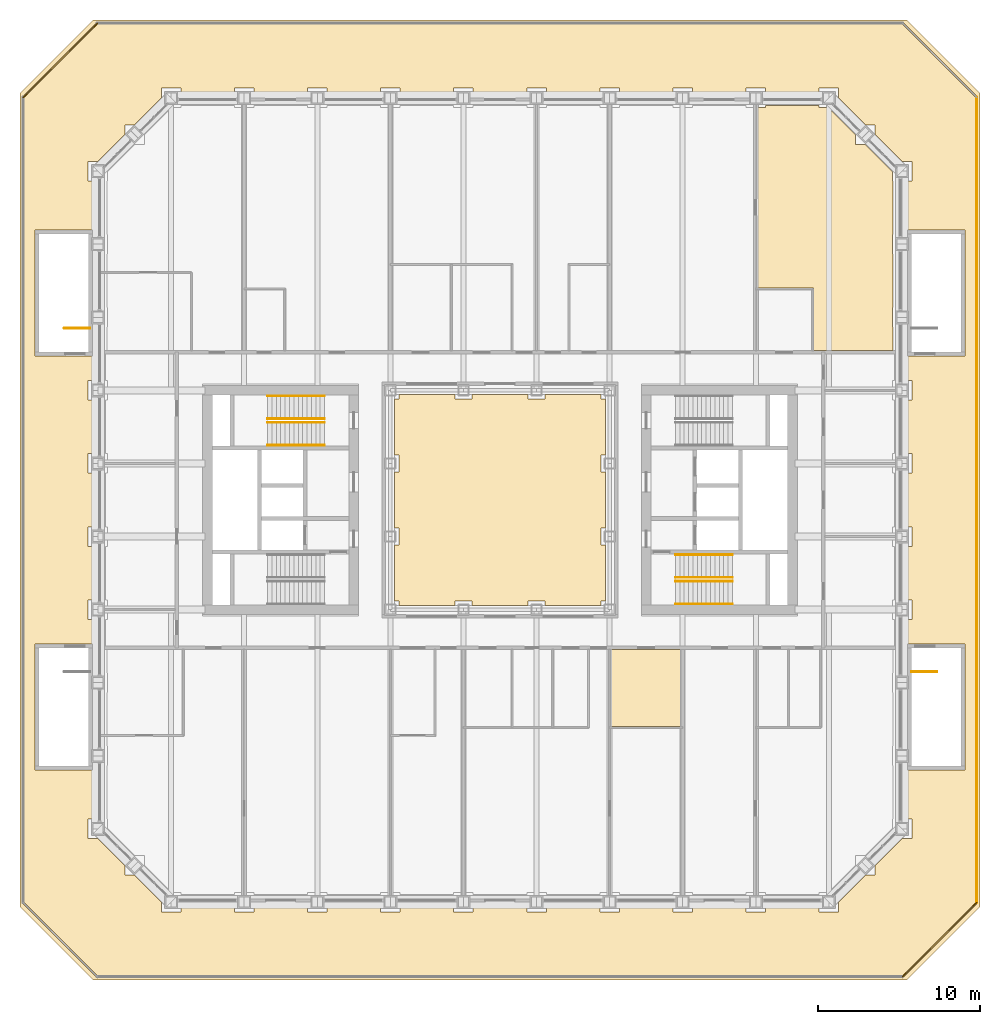
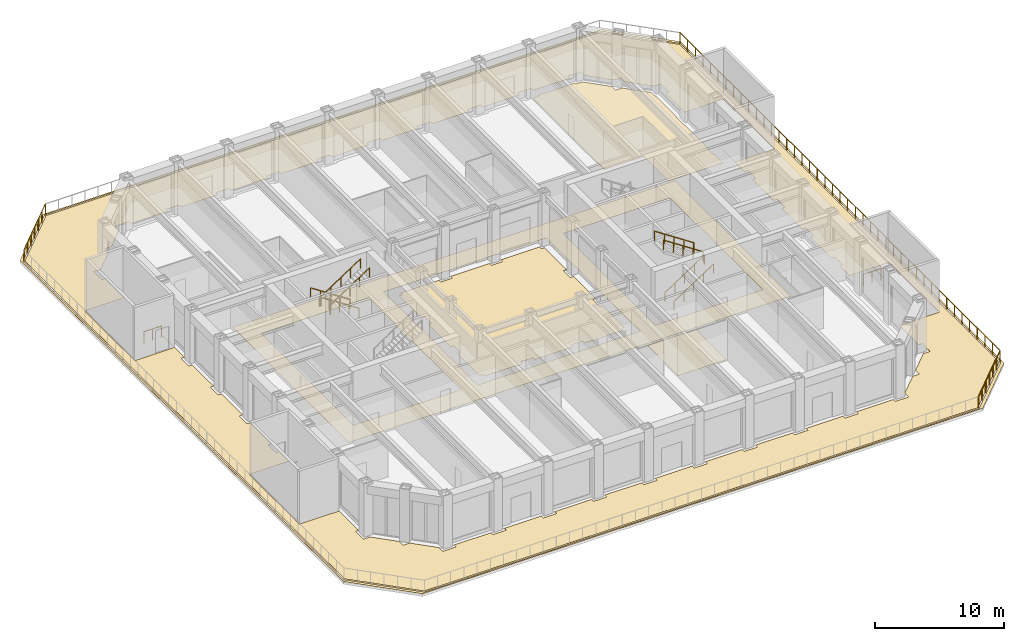
# One storey, part 17 of 18: 13 railings, 3 coverings.
"""IFC4 building model written with IfcOpenShell, lengths in metres."""

from ifc_helpers import new_model, si_unit, direction, frame, origin, origin_2d, place, context, subcontext, project, spatial, line, indexed_curve, circle, outline, extrude, material, layer, layer_set, type_object, element, save


model = new_model("IFC4")

# Units and contexts
model_context = context("Model", 3, precision=1e-05, world=origin(), true_north=direction((0.0, 1.0)))
body_context = subcontext(model_context, "Body", "Model", "MODEL_VIEW")
ifc_project = project(units=[si_unit("LENGTHUNIT", "METRE"), si_unit("AREAUNIT", "SQUARE_METRE"), si_unit("VOLUMEUNIT", "CUBIC_METRE"), si_unit("PLANEANGLEUNIT", "RADIAN"), si_unit("MASSUNIT", "GRAM", prefix="KILO")], contexts=[model_context])

# Site, building, storey
site_placement = place(None, origin())
site = spatial("IfcSite", under=ifc_project, at=site_placement, CompositionType="ELEMENT")
building_placement = place(site_placement, origin())
building = spatial("IfcBuilding", under=site, at=building_placement, Name="Msasa Ring Tower", CompositionType="ELEMENT")
storey_placement = place(building_placement, frame((0.0, 0.0, 21.5)))
storey = spatial("IfcBuildingStorey", under=building, at=storey_placement, Name="L04", CompositionType="ELEMENT", Elevation=21.5)

# Covering
ifc_material_1 = material(Name="Wool-blend carpet on felt underlay", Category="textile")
ifc_layer_1 = layer(ifc_material_1, 0.011962890625)
ifc_layer_set_1 = layer_set([ifc_layer_1], Name="F2 CARPET ON UNDERLAY 12")
covering_type_1 = type_object("IfcCoveringType", Name="F2 CARPET ON UNDERLAY 12", PredefinedType="FLOORING", material=ifc_layer_set_1)
covering_1_placement = place(storey_placement, origin())
element("IfcCovering", 1, at=covering_1_placement, inside=storey, type_object=covering_type_1, Name="Carpet On Underlay 12 L04", PredefinedType="FLOORING", context=body_context, shape_type="SweptSolid", body=[
    extrude(outline(indexed_curve([(19.799560546875, 8.99951171875), (19.799560546875, -8.99951171875), (-19.799560546875, -8.99951171875), (-19.799560546875, 8.99951171875)], segments=[line(1, 2, 3, 4, 1)], self_intersect=False), holes=[indexed_curve([(8.699462890625, 7.150390625), (8.699462890625, -7.150390625), (18.300537109375, -7.150390625), (18.300537109375, 7.150390625)], segments=[line(1, 2, 3, 4, 1)], self_intersect=False), indexed_curve([(-8.699462890625, 7.150390625), (-18.300537109375, 7.150390625), (-18.300537109375, -7.150390625), (-8.699462890625, -7.150390625)], segments=[line(1, 2, 3, 4, 1)], self_intersect=False), indexed_curve([(-7.275390625, -7.275390625), (-6.224609375, -7.275390625), (-6.224609375, -7.25048828125), (-2.775390625, -7.25048828125), (-2.775390625, -7.275390625), (-1.724609375, -7.275390625), (-1.724609375, -7.25048828125), (1.724609375, -7.25048828125), (1.724609375, -7.275390625), (2.775390625, -7.275390625), (2.775390625, -7.25048828125), (6.224609375, -7.25048828125), (6.224609375, -7.275390625), (7.275390625, -7.275390625), (7.275390625, -6.224609375), (7.25048828125, -6.224609375), (7.25048828125, -2.775390625), (7.275390625, -2.775390625), (7.275390625, -1.724609375), (7.25048828125, -1.724609375), (7.25048828125, 1.724609375), (7.275390625, 1.724609375), (7.275390625, 2.775390625), (7.25048828125, 2.775390625), (7.25048828125, 6.224609375), (7.275390625, 6.224609375), (7.275390625, 7.275390625), (6.224609375, 7.275390625), (6.224609375, 7.25048828125), (2.775390625, 7.25048828125), (2.775390625, 7.275390625), (1.724609375, 7.275390625), (1.724609375, 7.25048828125), (-1.724609375, 7.25048828125), (-1.724609375, 7.275390625), (-2.775390625, 7.275390625), (-2.775390625, 7.25048828125), (-6.224609375, 7.25048828125), (-6.224609375, 7.275390625), (-7.275390625, 7.275390625), (-7.275390625, 6.224609375), (-7.25048828125, 6.224609375), (-7.25048828125, 2.775390625), (-7.275390625, 2.775390625), (-7.275390625, 1.724609375), (-7.25048828125, 1.724609375), (-7.25048828125, -1.724609375), (-7.275390625, -1.724609375), (-7.275390625, -2.775390625), (-7.25048828125, -2.775390625), (-7.25048828125, -6.224609375), (-7.275390625, -6.224609375)], segments=[line(1, 2, 3, 4, 5, 6, 7, 8, 9, 10, 11, 12, 13, 14, 15, 16, 17, 18, 19, 20, 21, 22, 23, 24, 25, 26, 27, 28, 29, 30, 31, 32, 33, 34, 35, 36, 37, 38, 39, 40, 41, 42, 43, 44, 45, 46, 47, 48, 49, 50, 51, 52, 1)], self_intersect=False)]), origin(), (0.0, 0.0, 1.0), 0.011962890625),
    extrude(outline(indexed_curve([(11.1494140625, -13.949462890625), (6.800537109375, -13.949462890625), (6.800537109375, -9.200439453125), (11.1494140625, -9.200439453125)], segments=[line(1, 2, 3, 4, 1)], self_intersect=False)), origin(), (0.0, 0.0, 1.0), 0.011962890625),
    extrude(outline(indexed_curve([(15.800537109375, 24.1494140625), (16.3505859375, 24.1494140625), (16.3505859375, 24.299560546875), (19.6494140625, 24.299560546875), (19.6494140625, 24.1494140625), (20.21337890625, 24.1494140625), (21.8994140625, 22.46337890625), (21.8994140625, 21.8994140625), (22.46337890625, 21.8994140625), (24.1494140625, 20.21337890625), (24.1494140625, 19.6494140625), (24.199462890625, 19.6494140625), (24.199462890625, 16.3505859375), (24.1494140625, 16.3505859375), (24.1494140625, 15.1494140625), (24.199462890625, 15.1494140625), (24.199462890625, 11.8505859375), (24.1494140625, 11.8505859375), (24.1494140625, 10.6494140625), (24.199462890625, 10.6494140625), (24.199462890625, 9.200439453125), (19.300537109375, 9.200439453125), (19.300537109375, 13.050537109375), (15.800537109375, 13.050537109375)], segments=[line(1, 2, 3, 4, 5, 6, 7, 8, 9, 10, 11, 12, 13, 14, 15, 16, 17, 18, 19, 20, 21, 22, 23, 24, 1)], self_intersect=False)), origin(), (0.0, 0.0, 1.0), 0.011962890625),
])

# Railings
ifc_material_2 = material(Name="Stainless steel", Category="steel")
railing_type_1 = type_object("IfcRailingType", Name="GR1 GUARD 1100", PredefinedType="GUARDRAIL", material=ifc_material_2)
for number, where, name in (
    (2, (25.324951171875, -10.574951171875, 0.0), "Guard at the head of podium stair PES"),
    (3, (-26.824951171875, 10.574951171875, 0.0), "Guard at the head of podium stair PWN"),
):
    element("IfcRailing", number, at=place(storey_placement, frame(where)), inside=storey, type_object=railing_type_1, Name=name, PredefinedType="GUARDRAIL", context=body_context, shape_type="SweptSolid", body=[
        extrude(circle(Radius=0.02392578125, at=origin_2d()), frame((0.0, 0.0, 1.076171875), z_axis=(1.0, 0.0, 0.0), x_axis=(0.0, 1.0, 0.0)), (0.0, 0.0, 1.0), 1.574951171875),
        extrude(circle(Radius=0.02099609375, at=origin_2d()), origin(), (0.0, 0.0, 1.0), 1.052001953125),
        extrude(circle(Radius=0.02099609375, at=origin_2d()), frame((0.78759765625, 0.0, 0.0)), (0.0, 0.0, 1.0), 1.052001953125),
        extrude(circle(Radius=0.02099609375, at=origin_2d()), frame((1.574951171875, 0.0, 0.0)), (0.0, 0.0, 1.0), 1.052001953125),
    ])
ifc_material_3 = material(Name="Stainless steel and laminated glass", Category="steel")
railing_type_2 = type_object("IfcRailingType", Name="GR2 TERRACE GUARD 1100", PredefinedType="GUARDRAIL", material=ifc_material_3)
railing_1_placement = place(storey_placement, frame((24.79150390625, -29.35009765625, 0.0)))
element("IfcRailing", 4, at=railing_1_placement, inside=storey, type_object=railing_type_2, Name="Podium roof terrace guard SE L04", PredefinedType="GUARDRAIL", context=body_context, shape_type="SweptSolid", body=[
    extrude(circle(Radius=0.02392578125, at=origin_2d()), frame((0.0, 0.0, 1.076171875), z_axis=(0.707106781187, 0.707106781187, 0.0), x_axis=(-0.707106781187, 0.707106781187, 0.0)), (0.0, 0.0, 1.0), 6.44677734375),
    extrude(circle(Radius=0.02099609375, at=origin_2d()), origin(), (0.0, 0.0, 1.0), 1.052001953125),
    extrude(circle(Radius=0.02099609375, at=origin_2d()), frame((0.759765625, 0.759765625, 0.0)), (0.0, 0.0, 1.0), 1.052001953125),
    extrude(circle(Radius=0.02099609375, at=origin_2d()), frame((1.51953125, 1.51953125, 0.0)), (0.0, 0.0, 1.0), 1.052001953125),
    extrude(circle(Radius=0.02099609375, at=origin_2d()), frame((2.279296875, 2.279296875, 0.0)), (0.0, 0.0, 1.0), 1.052001953125),
    extrude(circle(Radius=0.02099609375, at=origin_2d()), frame((3.0390625, 3.0390625, 0.0)), (0.0, 0.0, 1.0), 1.052001953125),
    extrude(circle(Radius=0.02099609375, at=origin_2d()), frame((3.798828125, 3.798828125, 0.0)), (0.0, 0.0, 1.0), 1.052001953125),
    extrude(circle(Radius=0.02099609375, at=origin_2d()), frame((4.55859375, 4.55859375, 0.0)), (0.0, 0.0, 1.0), 1.052001953125),
])
railing_2_placement = place(storey_placement, frame((29.35009765625, -24.79150390625, 0.0)))
element("IfcRailing", 5, at=railing_2_placement, inside=storey, type_object=railing_type_2, Name="Podium roof terrace guard E L04", PredefinedType="GUARDRAIL", context=body_context, shape_type="SweptSolid", body=[
    extrude(circle(Radius=0.02392578125, at=origin_2d()), frame((0.0, 0.0, 1.076171875), z_axis=(0.0, 1.0, 0.0), x_axis=(-1.0, 0.0, 0.0)), (0.0, 0.0, 1.0), 49.5830078125),
    extrude(circle(Radius=0.02099609375, at=origin_2d()), origin(), (0.0, 0.0, 1.0), 1.052001953125),
    extrude(circle(Radius=0.02099609375, at=origin_2d()), frame((0.0, 1.1806640625, 0.0)), (0.0, 0.0, 1.0), 1.052001953125),
    extrude(circle(Radius=0.02099609375, at=origin_2d()), frame((0.0, 2.361083984375, 0.0)), (0.0, 0.0, 1.0), 1.052001953125),
    extrude(circle(Radius=0.02099609375, at=origin_2d()), frame((0.0, 3.541748046875, 0.0)), (0.0, 0.0, 1.0), 1.052001953125),
    extrude(circle(Radius=0.02099609375, at=origin_2d()), frame((0.0, 4.72216796875, 0.0)), (0.0, 0.0, 1.0), 1.052001953125),
    extrude(circle(Radius=0.02099609375, at=origin_2d()), frame((0.0, 5.90283203125, 0.0)), (0.0, 0.0, 1.0), 1.052001953125),
    extrude(circle(Radius=0.02099609375, at=origin_2d()), frame((0.0, 7.083251953125, 0.0)), (0.0, 0.0, 1.0), 1.052001953125),
    extrude(circle(Radius=0.02099609375, at=origin_2d()), frame((0.0, 8.263916015625, 0.0)), (0.0, 0.0, 1.0), 1.052001953125),
    extrude(circle(Radius=0.02099609375, at=origin_2d()), frame((0.0, 9.4443359375, 0.0)), (0.0, 0.0, 1.0), 1.052001953125),
    extrude(circle(Radius=0.02099609375, at=origin_2d()), frame((0.0, 10.625, 0.0)), (0.0, 0.0, 1.0), 1.052001953125),
    extrude(circle(Radius=0.02099609375, at=origin_2d()), frame((0.0, 11.805419921875, 0.0)), (0.0, 0.0, 1.0), 1.052001953125),
    extrude(circle(Radius=0.02099609375, at=origin_2d()), frame((0.0, 12.986083984375, 0.0)), (0.0, 0.0, 1.0), 1.052001953125),
    extrude(circle(Radius=0.02099609375, at=origin_2d()), frame((0.0, 14.16650390625, 0.0)), (0.0, 0.0, 1.0), 1.052001953125),
    extrude(circle(Radius=0.02099609375, at=origin_2d()), frame((0.0, 15.34716796875, 0.0)), (0.0, 0.0, 1.0), 1.052001953125),
    extrude(circle(Radius=0.02099609375, at=origin_2d()), frame((0.0, 16.527587890625, 0.0)), (0.0, 0.0, 1.0), 1.052001953125),
    extrude(circle(Radius=0.02099609375, at=origin_2d()), frame((0.0, 17.708251953125, 0.0)), (0.0, 0.0, 1.0), 1.052001953125),
    extrude(circle(Radius=0.02099609375, at=origin_2d()), frame((0.0, 18.888671875, 0.0)), (0.0, 0.0, 1.0), 1.052001953125),
    extrude(circle(Radius=0.02099609375, at=origin_2d()), frame((0.0, 20.0693359375, 0.0)), (0.0, 0.0, 1.0), 1.052001953125),
    extrude(circle(Radius=0.02099609375, at=origin_2d()), frame((0.0, 21.249755859375, 0.0)), (0.0, 0.0, 1.0), 1.052001953125),
    extrude(circle(Radius=0.02099609375, at=origin_2d()), frame((0.0, 22.430419921875, 0.0)), (0.0, 0.0, 1.0), 1.052001953125),
    extrude(circle(Radius=0.02099609375, at=origin_2d()), frame((0.0, 23.61083984375, 0.0)), (0.0, 0.0, 1.0), 1.052001953125),
    extrude(circle(Radius=0.02099609375, at=origin_2d()), frame((0.0, 24.79150390625, 0.0)), (0.0, 0.0, 1.0), 1.052001953125),
    extrude(circle(Radius=0.02099609375, at=origin_2d()), frame((0.0, 25.97216796875, 0.0)), (0.0, 0.0, 1.0), 1.052001953125),
    extrude(circle(Radius=0.02099609375, at=origin_2d()), frame((0.0, 27.152587890625, 0.0)), (0.0, 0.0, 1.0), 1.052001953125),
    extrude(circle(Radius=0.02099609375, at=origin_2d()), frame((0.0, 28.333251953125, 0.0)), (0.0, 0.0, 1.0), 1.052001953125),
    extrude(circle(Radius=0.02099609375, at=origin_2d()), frame((0.0, 29.513671875, 0.0)), (0.0, 0.0, 1.0), 1.052001953125),
    extrude(circle(Radius=0.02099609375, at=origin_2d()), frame((0.0, 30.6943359375, 0.0)), (0.0, 0.0, 1.0), 1.052001953125),
    extrude(circle(Radius=0.02099609375, at=origin_2d()), frame((0.0, 31.874755859375, 0.0)), (0.0, 0.0, 1.0), 1.052001953125),
    extrude(circle(Radius=0.02099609375, at=origin_2d()), frame((0.0, 33.055419921875, 0.0)), (0.0, 0.0, 1.0), 1.052001953125),
    extrude(circle(Radius=0.02099609375, at=origin_2d()), frame((0.0, 34.23583984375, 0.0)), (0.0, 0.0, 1.0), 1.052001953125),
    extrude(circle(Radius=0.02099609375, at=origin_2d()), frame((0.0, 35.41650390625, 0.0)), (0.0, 0.0, 1.0), 1.052001953125),
    extrude(circle(Radius=0.02099609375, at=origin_2d()), frame((0.0, 36.596923828125, 0.0)), (0.0, 0.0, 1.0), 1.052001953125),
    extrude(circle(Radius=0.02099609375, at=origin_2d()), frame((0.0, 37.777587890625, 0.0)), (0.0, 0.0, 1.0), 1.052001953125),
    extrude(circle(Radius=0.02099609375, at=origin_2d()), frame((0.0, 38.9580078125, 0.0)), (0.0, 0.0, 1.0), 1.052001953125),
    extrude(circle(Radius=0.02099609375, at=origin_2d()), frame((0.0, 40.138671875, 0.0)), (0.0, 0.0, 1.0), 1.052001953125),
    extrude(circle(Radius=0.02099609375, at=origin_2d()), frame((0.0, 41.319091796875, 0.0)), (0.0, 0.0, 1.0), 1.052001953125),
    extrude(circle(Radius=0.02099609375, at=origin_2d()), frame((0.0, 42.499755859375, 0.0)), (0.0, 0.0, 1.0), 1.052001953125),
    extrude(circle(Radius=0.02099609375, at=origin_2d()), frame((0.0, 43.68017578125, 0.0)), (0.0, 0.0, 1.0), 1.052001953125),
    extrude(circle(Radius=0.02099609375, at=origin_2d()), frame((0.0, 44.86083984375, 0.0)), (0.0, 0.0, 1.0), 1.052001953125),
    extrude(circle(Radius=0.02099609375, at=origin_2d()), frame((0.0, 46.041259765625, 0.0)), (0.0, 0.0, 1.0), 1.052001953125),
    extrude(circle(Radius=0.02099609375, at=origin_2d()), frame((0.0, 47.221923828125, 0.0)), (0.0, 0.0, 1.0), 1.052001953125),
    extrude(circle(Radius=0.02099609375, at=origin_2d()), frame((0.0, 48.40234375, 0.0)), (0.0, 0.0, 1.0), 1.052001953125),
    extrude(circle(Radius=0.02099609375, at=origin_2d()), frame((0.0, 49.5830078125, 0.0)), (0.0, 0.0, 1.0), 1.052001953125),
])
railing_3_placement = place(storey_placement, frame((-24.79150390625, 29.35009765625, 0.0)))
element("IfcRailing", 6, at=railing_3_placement, inside=storey, type_object=railing_type_2, Name="Podium roof terrace guard NW L04", PredefinedType="GUARDRAIL", context=body_context, shape_type="SweptSolid", body=[
    extrude(circle(Radius=0.02392578125, at=origin_2d()), frame((0.0, 0.0, 1.076171875), z_axis=(-0.707106781187, -0.707106781187, 0.0), x_axis=(0.707106781187, -0.707106781187, 0.0)), (0.0, 0.0, 1.0), 6.44677734375),
    extrude(circle(Radius=0.02099609375, at=origin_2d()), origin(), (0.0, 0.0, 1.0), 1.052001953125),
    extrude(circle(Radius=0.02099609375, at=origin_2d()), frame((-0.759765625, -0.759765625, 0.0)), (0.0, 0.0, 1.0), 1.052001953125),
    extrude(circle(Radius=0.02099609375, at=origin_2d()), frame((-1.51953125, -1.51953125, 0.0)), (0.0, 0.0, 1.0), 1.052001953125),
    extrude(circle(Radius=0.02099609375, at=origin_2d()), frame((-2.279296875, -2.279296875, 0.0)), (0.0, 0.0, 1.0), 1.052001953125),
    extrude(circle(Radius=0.02099609375, at=origin_2d()), frame((-3.0390625, -3.0390625, 0.0)), (0.0, 0.0, 1.0), 1.052001953125),
    extrude(circle(Radius=0.02099609375, at=origin_2d()), frame((-3.798828125, -3.798828125, 0.0)), (0.0, 0.0, 1.0), 1.052001953125),
    extrude(circle(Radius=0.02099609375, at=origin_2d()), frame((-4.55859375, -4.55859375, 0.0)), (0.0, 0.0, 1.0), 1.052001953125),
])
ifc_material_4 = material(Name="Stainless steel", Category="steel")
railing_type_3 = type_object("IfcRailingType", Name="HR1 HANDRAIL 900", PredefinedType="HANDRAIL", material=ifc_material_4)
for number, where, name in (
    (7, (10.800048828125, -6.39990234375, 0.178466796875), "Handrail stair SEA L04 1"),
    (8, (10.800048828125, -5.0, 0.178466796875), "Handrail stair SEA L04 2"),
):
    element("IfcRailing", number, at=place(storey_placement, frame(where)), inside=storey, type_object=railing_type_3, Name=name, PredefinedType="HANDRAIL", context=body_context, shape_type="SweptSolid", body=[
        extrude(circle(Radius=0.02392578125, at=origin_2d()), frame((0.0, 0.0, 0.8759765625), z_axis=(0.834070780157, 0.0, 0.551657442339), x_axis=(0.0, 1.0, 0.0)), (0.0, 0.0, 1.0), 4.208251953125),
        extrude(circle(Radius=0.02099609375, at=origin_2d()), origin(), (0.0, 0.0, 1.0), 0.851806640625),
        extrude(circle(Radius=0.02099609375, at=origin_2d()), frame((0.87744140625, 0.0, 0.580322265625)), (0.0, 0.0, 1.0), 0.851806640625),
        extrude(circle(Radius=0.02099609375, at=origin_2d()), frame((1.7548828125, 0.0, 1.16064453125)), (0.0, 0.0, 1.0), 0.851806640625),
        extrude(circle(Radius=0.02099609375, at=origin_2d()), frame((2.632568359375, 0.0, 1.7412109375)), (0.0, 0.0, 1.0), 0.851806640625),
        extrude(circle(Radius=0.02099609375, at=origin_2d()), frame((3.510009765625, 0.0, 2.321533203125)), (0.0, 0.0, 1.0), 0.851806640625),
    ])
for number, where, name in (
    (9, (14.31005859375, -4.77490234375, 2.678466796875), "Handrail stair SEA L04 3"),
    (10, (14.31005859375, -3.375, 2.678466796875), "Handrail stair SEA L04 4"),
    (11, (-10.800048828125, 5.0, 0.178466796875), "Handrail stair SWB L04 1"),
    (12, (-10.800048828125, 6.39990234375, 0.178466796875), "Handrail stair SWB L04 2"),
):
    element("IfcRailing", number, at=place(storey_placement, frame(where)), inside=storey, type_object=railing_type_3, Name=name, PredefinedType="HANDRAIL", context=body_context, shape_type="SweptSolid", body=[
        extrude(circle(Radius=0.02392578125, at=origin_2d()), frame((0.0, 0.0, 0.8759765625), z_axis=(-0.834070780157, 0.0, 0.551657442339), x_axis=(0.0, -1.0, 0.0)), (0.0, 0.0, 1.0), 4.208251953125),
        extrude(circle(Radius=0.02099609375, at=origin_2d()), origin(), (0.0, 0.0, 1.0), 0.851806640625),
        extrude(circle(Radius=0.02099609375, at=origin_2d()), frame((-0.87744140625, 0.0, 0.580322265625)), (0.0, 0.0, 1.0), 0.851806640625),
        extrude(circle(Radius=0.02099609375, at=origin_2d()), frame((-1.7548828125, 0.0, 1.16064453125)), (0.0, 0.0, 1.0), 0.851806640625),
        extrude(circle(Radius=0.02099609375, at=origin_2d()), frame((-2.632568359375, 0.0, 1.7412109375)), (0.0, 0.0, 1.0), 0.851806640625),
        extrude(circle(Radius=0.02099609375, at=origin_2d()), frame((-3.510009765625, 0.0, 2.321533203125)), (0.0, 0.0, 1.0), 0.851806640625),
    ])
for number, where, name in (
    (13, (-14.31005859375, 3.375, 2.678466796875), "Handrail stair SWB L04 3"),
    (14, (-14.31005859375, 4.77490234375, 2.678466796875), "Handrail stair SWB L04 4"),
):
    element("IfcRailing", number, at=place(storey_placement, frame(where)), inside=storey, type_object=railing_type_3, Name=name, PredefinedType="HANDRAIL", context=body_context, shape_type="SweptSolid", body=[
        extrude(circle(Radius=0.02392578125, at=origin_2d()), frame((0.0, 0.0, 0.8759765625), z_axis=(0.834070780157, 0.0, 0.551657442339), x_axis=(0.0, 1.0, 0.0)), (0.0, 0.0, 1.0), 4.208251953125),
        extrude(circle(Radius=0.02099609375, at=origin_2d()), origin(), (0.0, 0.0, 1.0), 0.851806640625),
        extrude(circle(Radius=0.02099609375, at=origin_2d()), frame((0.87744140625, 0.0, 0.580322265625)), (0.0, 0.0, 1.0), 0.851806640625),
        extrude(circle(Radius=0.02099609375, at=origin_2d()), frame((1.7548828125, 0.0, 1.16064453125)), (0.0, 0.0, 1.0), 0.851806640625),
        extrude(circle(Radius=0.02099609375, at=origin_2d()), frame((2.632568359375, 0.0, 1.7412109375)), (0.0, 0.0, 1.0), 0.851806640625),
        extrude(circle(Radius=0.02099609375, at=origin_2d()), frame((3.510009765625, 0.0, 2.321533203125)), (0.0, 0.0, 1.0), 0.851806640625),
    ])

# Coverings
ifc_material_5 = material(Name="Liquid-applied polyurethane roof membrane", Category="polyurethane")
ifc_layer_2 = layer(ifc_material_5, 0.0048828125)
ifc_layer_set_2 = layer_set([ifc_layer_2], Name="RF2 LIQUID-APPLIED MEMBRANE ROOF COVERING 5")
covering_type_2 = type_object("IfcCoveringType", Name="RF2 LIQUID-APPLIED MEMBRANE ROOF COVERING 5", PredefinedType="ROOFING", material=ifc_layer_set_2)
covering_2_placement = place(storey_placement, origin())
element("IfcCovering", 15, at=covering_2_placement, inside=storey, type_object=covering_type_2, Name="Roof covering on podium roof terrace l04", PredefinedType="ROOFING", context=body_context, shape_type="SweptSolid", body=[
    extrude(outline(indexed_curve([(-29.549560546875, -25.0498046875), (-29.549560546875, 25.0498046875), (-25.0498046875, 29.549560546875), (25.0498046875, 29.549560546875), (29.549560546875, 25.0498046875), (29.549560546875, -25.0498046875), (25.0498046875, -29.549560546875), (-25.0498046875, -29.549560546875)], segments=[line(1, 2, 3, 4, 5, 6, 7, 8, 1)], self_intersect=False), holes=[indexed_curve([(-29.409912109375, -24.7666015625), (-29.434814453125, -24.79150390625), (-29.409912109375, -24.81640625), (-29.409912109375, -24.851318359375), (-29.375, -24.851318359375), (-24.851318359375, -29.375), (-24.851318359375, -29.409912109375), (-24.81640625, -29.409912109375), (-24.79150390625, -29.434814453125), (-24.7666015625, -29.409912109375), (24.7666015625, -29.409912109375), (24.79150390625, -29.434814453125), (24.81640625, -29.409912109375), (24.851318359375, -29.409912109375), (24.851318359375, -29.375), (29.375, -24.851318359375), (29.409912109375, -24.851318359375), (29.409912109375, -24.81640625), (29.434814453125, -24.79150390625), (29.409912109375, -24.7666015625), (29.409912109375, 24.7666015625), (29.434814453125, 24.79150390625), (29.409912109375, 24.81640625), (29.409912109375, 24.851318359375), (29.375, 24.851318359375), (24.851318359375, 29.375), (24.851318359375, 29.409912109375), (24.81640625, 29.409912109375), (24.79150390625, 29.434814453125), (24.7666015625, 29.409912109375), (-24.7666015625, 29.409912109375), (-24.79150390625, 29.434814453125), (-24.81640625, 29.409912109375), (-24.851318359375, 29.409912109375), (-24.851318359375, 29.375), (-29.375, 24.851318359375), (-29.409912109375, 24.851318359375), (-29.409912109375, 24.81640625), (-29.434814453125, 24.79150390625), (-29.409912109375, 24.7666015625)], segments=[line(1, 2, 3, 4, 5, 6, 7, 8, 9, 10, 11, 12, 13, 14, 15, 16, 17, 18, 19, 20, 21, 22, 23, 24, 25, 26, 27, 28, 29, 30, 31, 32, 33, 34, 35, 36, 37, 38, 39, 40, 1)], self_intersect=False)]), origin(), (0.0, 0.0, 1.0), 0.0048828125),
    extrude(outline(indexed_curve([(-24.7666015625, 29.2900390625), (24.7666015625, 29.2900390625), (29.2900390625, 24.7666015625), (29.2900390625, -24.7666015625), (24.7666015625, -29.2900390625), (-24.7666015625, -29.2900390625), (-29.2900390625, -24.7666015625), (-29.2900390625, 24.7666015625)], segments=[line(1, 2, 3, 4, 5, 6, 7, 8, 1)], self_intersect=False), holes=[indexed_curve([(-16.3505859375, -25.050537109375), (-16.3505859375, -25.3505859375), (-15.1494140625, -25.3505859375), (-15.1494140625, -25.050537109375), (-11.8505859375, -25.050537109375), (-11.8505859375, -25.3505859375), (-10.6494140625, -25.3505859375), (-10.6494140625, -25.050537109375), (-7.3505859375, -25.050537109375), (-7.3505859375, -25.3505859375), (-6.1494140625, -25.3505859375), (-6.1494140625, -25.050537109375), (-2.8505859375, -25.050537109375), (-2.8505859375, -25.3505859375), (-1.6494140625, -25.3505859375), (-1.6494140625, -25.050537109375), (1.6494140625, -25.050537109375), (1.6494140625, -25.3505859375), (2.8505859375, -25.3505859375), (2.8505859375, -25.050537109375), (6.1494140625, -25.050537109375), (6.1494140625, -25.3505859375), (7.3505859375, -25.3505859375), (7.3505859375, -25.050537109375), (10.6494140625, -25.050537109375), (10.6494140625, -25.3505859375), (11.8505859375, -25.3505859375), (11.8505859375, -25.050537109375), (15.1494140625, -25.050537109375), (15.1494140625, -25.3505859375), (16.3505859375, -25.3505859375), (16.3505859375, -25.050537109375), (19.6494140625, -25.050537109375), (19.6494140625, -25.3505859375), (20.8505859375, -25.3505859375), (20.8505859375, -24.750244140625), (22.500244140625, -23.1005859375), (23.1005859375, -23.1005859375), (23.1005859375, -22.500244140625), (24.750244140625, -20.8505859375), (25.3505859375, -20.8505859375), (25.3505859375, -19.6494140625), (25.050537109375, -19.6494140625), (25.050537109375, -16.3505859375), (25.074462890625, -16.3505859375), (25.074951171875, -16.62548828125), (28.625, -16.62548828125), (28.625, -8.87451171875), (25.074951171875, -8.87451171875), (25.074462890625, -10.6494140625), (25.050537109375, -10.6494140625), (25.050537109375, -7.3505859375), (25.3505859375, -7.3505859375), (25.3505859375, -6.1494140625), (25.050537109375, -6.1494140625), (25.050537109375, -2.8505859375), (25.3505859375, -2.8505859375), (25.3505859375, -1.6494140625), (25.050537109375, -1.6494140625), (25.050537109375, 1.6494140625), (25.3505859375, 1.6494140625), (25.3505859375, 2.8505859375), (25.050537109375, 2.8505859375), (25.050537109375, 6.1494140625), (25.3505859375, 6.1494140625), (25.3505859375, 7.3505859375), (25.050537109375, 7.3505859375), (25.050537109375, 10.6494140625), (25.074462890625, 10.6494140625), (25.074951171875, 8.87451171875), (28.625, 8.87451171875), (28.625, 16.62548828125), (25.074951171875, 16.62548828125), (25.074462890625, 16.3505859375), (25.050537109375, 16.3505859375), (25.050537109375, 19.6494140625), (25.3505859375, 19.6494140625), (25.3505859375, 20.8505859375), (24.750244140625, 20.8505859375), (23.1005859375, 22.500244140625), (23.1005859375, 23.1005859375), (22.500244140625, 23.1005859375), (20.8505859375, 24.750244140625), (20.8505859375, 25.3505859375), (19.6494140625, 25.3505859375), (19.6494140625, 25.050537109375), (16.3505859375, 25.050537109375), (16.3505859375, 25.3505859375), (15.1494140625, 25.3505859375), (15.1494140625, 25.050537109375), (11.8505859375, 25.050537109375), (11.8505859375, 25.3505859375), (10.6494140625, 25.3505859375), (10.6494140625, 25.050537109375), (7.3505859375, 25.050537109375), (7.3505859375, 25.3505859375), (6.1494140625, 25.3505859375), (6.1494140625, 25.050537109375), (2.8505859375, 25.050537109375), (2.8505859375, 25.3505859375), (1.6494140625, 25.3505859375), (1.6494140625, 25.050537109375), (-1.6494140625, 25.050537109375), (-1.6494140625, 25.3505859375), (-2.8505859375, 25.3505859375), (-2.8505859375, 25.050537109375), (-6.1494140625, 25.050537109375), (-6.1494140625, 25.3505859375), (-7.3505859375, 25.3505859375), (-7.3505859375, 25.050537109375), (-10.6494140625, 25.050537109375), (-10.6494140625, 25.3505859375), (-11.8505859375, 25.3505859375), (-11.8505859375, 25.050537109375), (-15.1494140625, 25.050537109375), (-15.1494140625, 25.3505859375), (-16.3505859375, 25.3505859375), (-16.3505859375, 25.050537109375), (-19.6494140625, 25.050537109375), (-19.6494140625, 25.3505859375), (-20.8505859375, 25.3505859375), (-20.8505859375, 24.750244140625), (-22.500244140625, 23.1005859375), (-23.1005859375, 23.1005859375), (-23.1005859375, 22.500244140625), (-24.750244140625, 20.8505859375), (-25.3505859375, 20.8505859375), (-25.3505859375, 19.6494140625), (-25.050537109375, 19.6494140625), (-25.050537109375, 16.3505859375), (-25.074462890625, 16.3505859375), (-25.074951171875, 16.62548828125), (-28.625, 16.62548828125), (-28.625, 8.87451171875), (-25.074951171875, 8.87451171875), (-25.074462890625, 10.6494140625), (-25.050537109375, 10.6494140625), (-25.050537109375, 7.3505859375), (-25.3505859375, 7.3505859375), (-25.3505859375, 6.1494140625), (-25.050537109375, 6.1494140625), (-25.050537109375, 2.8505859375), (-25.3505859375, 2.8505859375), (-25.3505859375, 1.6494140625), (-25.050537109375, 1.6494140625), (-25.050537109375, -1.6494140625), (-25.3505859375, -1.6494140625), (-25.3505859375, -2.8505859375), (-25.050537109375, -2.8505859375), (-25.050537109375, -6.1494140625), (-25.3505859375, -6.1494140625), (-25.3505859375, -7.3505859375), (-25.050537109375, -7.3505859375), (-25.050537109375, -10.6494140625), (-25.074462890625, -10.6494140625), (-25.074951171875, -8.87451171875), (-28.625, -8.87451171875), (-28.625, -16.62548828125), (-25.074951171875, -16.62548828125), (-25.074462890625, -16.3505859375), (-25.050537109375, -16.3505859375), (-25.050537109375, -19.6494140625), (-25.3505859375, -19.6494140625), (-25.3505859375, -20.8505859375), (-24.750244140625, -20.8505859375), (-23.1005859375, -22.500244140625), (-23.1005859375, -23.1005859375), (-22.500244140625, -23.1005859375), (-20.8505859375, -24.750244140625), (-20.8505859375, -25.3505859375), (-19.6494140625, -25.3505859375), (-19.6494140625, -25.050537109375)], segments=[line(1, 2, 3, 4, 5, 6, 7, 8, 9, 10, 11, 12, 13, 14, 15, 16, 17, 18, 19, 20, 21, 22, 23, 24, 25, 26, 27, 28, 29, 30, 31, 32, 33, 34, 35, 36, 37, 38, 39, 40, 41, 42, 43, 44, 45, 46, 47, 48, 49, 50, 51, 52, 53, 54, 55, 56, 57, 58, 59, 60, 61, 62, 63, 64, 65, 66, 67, 68, 69, 70, 71, 72, 73, 74, 75, 76, 77, 78, 79, 80, 81, 82, 83, 84, 85, 86, 87, 88, 89, 90, 91, 92, 93, 94, 95, 96, 97, 98, 99, 100, 101, 102, 103, 104, 105, 106, 107, 108, 109, 110, 111, 112, 113, 114, 115, 116, 117, 118, 119, 120, 121, 122, 123, 124, 125, 126, 127, 128, 129, 130, 131, 132, 133, 134, 135, 136, 137, 138, 139, 140, 141, 142, 143, 144, 145, 146, 147, 148, 149, 150, 151, 152, 153, 154, 155, 156, 157, 158, 159, 160, 161, 162, 163, 164, 165, 166, 167, 168, 169, 170, 171, 172, 1)], self_intersect=False)]), origin(), (0.0, 0.0, 1.0), 0.0048828125),
])
covering_3_placement = place(storey_placement, origin())
element("IfcCovering", 16, at=covering_3_placement, inside=storey, type_object=covering_type_2, Name="Roof covering on light well courtyard l04", PredefinedType="ROOFING", context=body_context, shape_type="SweptSolid", body=[
    extrude(outline(indexed_curve([(-6.49951171875, -2.775390625), (-6.224609375, -2.775390625), (-6.224609375, -1.724609375), (-6.49951171875, -1.724609375), (-6.49951171875, 1.724609375), (-6.224609375, 1.724609375), (-6.224609375, 2.775390625), (-6.49951171875, 2.775390625), (-6.49951171875, 6.224609375), (-6.224609375, 6.224609375), (-6.224609375, 6.49951171875), (-2.775390625, 6.49951171875), (-2.775390625, 6.224609375), (-1.724609375, 6.224609375), (-1.724609375, 6.49951171875), (1.724609375, 6.49951171875), (1.724609375, 6.224609375), (2.775390625, 6.224609375), (2.775390625, 6.49951171875), (6.224609375, 6.49951171875), (6.224609375, 6.224609375), (6.49951171875, 6.224609375), (6.49951171875, 2.775390625), (6.224609375, 2.775390625), (6.224609375, 1.724609375), (6.49951171875, 1.724609375), (6.49951171875, -1.724609375), (6.224609375, -1.724609375), (6.224609375, -2.775390625), (6.49951171875, -2.775390625), (6.49951171875, -6.224609375), (6.224609375, -6.224609375), (6.224609375, -6.49951171875), (2.775390625, -6.49951171875), (2.775390625, -6.224609375), (1.724609375, -6.224609375), (1.724609375, -6.49951171875), (-1.724609375, -6.49951171875), (-1.724609375, -6.224609375), (-2.775390625, -6.224609375), (-2.775390625, -6.49951171875), (-6.224609375, -6.49951171875), (-6.224609375, -6.224609375), (-6.49951171875, -6.224609375)], segments=[line(1, 2, 3, 4, 5, 6, 7, 8, 9, 10, 11, 12, 13, 14, 15, 16, 17, 18, 19, 20, 21, 22, 23, 24, 25, 26, 27, 28, 29, 30, 31, 32, 33, 34, 35, 36, 37, 38, 39, 40, 41, 42, 43, 44, 1)], self_intersect=False)), origin(), (0.0, 0.0, 1.0), 0.0048828125),
])

save(model, "model.ifc")
